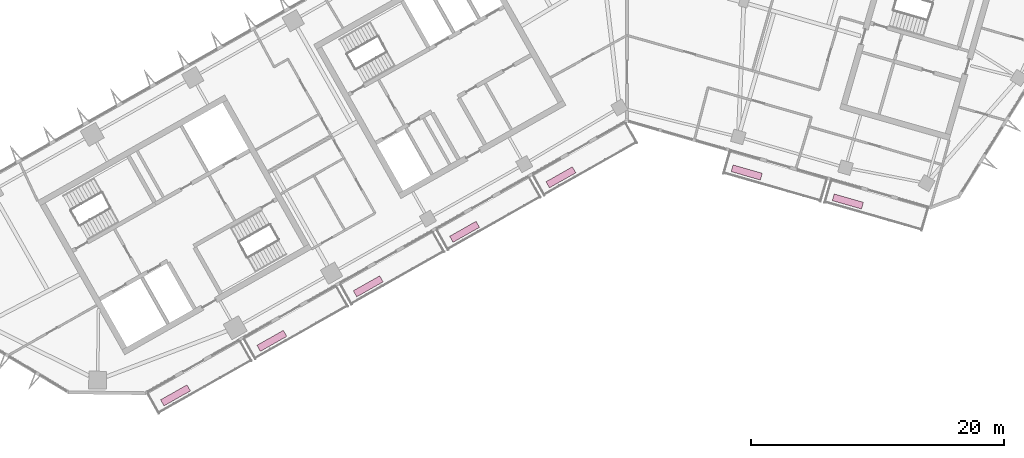
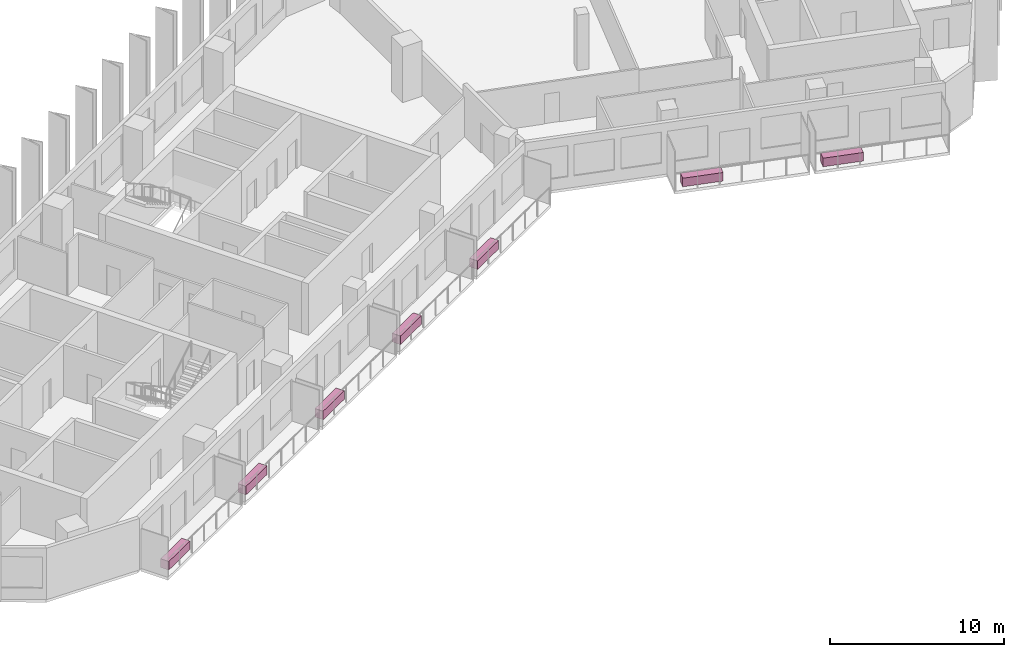
# One storey, part 12 of 12: 7 furnishings.
"""IFC4 building model written with IfcOpenShell, lengths in metres."""

import ifcopenshell
import ifcopenshell.guid

model = None  # the IFC model being written
_history = None  # IfcOwnerHistory: only IFC2X3 demands one
_inside = {}  # id of a spatial element -> (the spatial element, [elements in it])
_under = {}  # id of a project, library or spatial element -> (it, [spatial elements below it])
_declared = {}  # id of a project -> (the project, [libraries it declares])
_typed = {}  # id of a type object -> (the type object, [elements of that type])
_made_of = {}  # id of a material, layer set ... -> (it, [elements and type objects made of it])


def new_model(schema):
    """Start an empty IFC model of exactly this schema.

    Asked for "IFC4X3", IfcOpenShell would pick the latest addendum, in which some entities
    have other attributes; the version numbers below select the first issue.
    IFC2X3 requires an IfcOwnerHistory on every rooted entity: one is made here for all.
    """
    global model, _history
    if schema == "IFC4X3":
        model = ifcopenshell.file(schema_version=(4, 3, 0, 0))
    else:
        model = ifcopenshell.file(schema=schema)
    _inside.clear()
    _under.clear()
    _declared.clear()
    _typed.clear()
    _made_of.clear()
    _history = None
    if model.schema == "IFC2X3":
        org = make("IfcOrganization", Name="unknown")
        user = make(
            "IfcPersonAndOrganization",
            ThePerson=make("IfcPerson", FamilyName="unknown"),
            TheOrganization=org,
        )
        app = make(
            "IfcApplication",
            ApplicationDeveloper=org,
            Version="unknown",
            ApplicationFullName="unknown",
            ApplicationIdentifier="unknown",
        )
        _history = make(
            "IfcOwnerHistory",
            OwningUser=user,
            OwningApplication=app,
            ChangeAction="ADDED",
            CreationDate=0,
        )
    return model


def make(cls, **values):
    """One entity of the class cls with the attributes given. An attribute that is None is left unset."""
    return model.create_entity(
        cls, **{name: value for name, value in values.items() if value is not None}
    )


def rooted(cls, **values):
    """An entity with a GlobalId (a new one), such as an element, a storey or a relation."""
    return make(cls, GlobalId=ifcopenshell.guid.new(), OwnerHistory=_history, **values)


def si_unit(unit_type, name, prefix=None):
    """IfcSIUnit, for example si_unit("LENGTHUNIT", "METRE", prefix="MILLI")."""
    return make("IfcSIUnit", UnitType=unit_type, Prefix=prefix, Name=name)


def assignment(units):
    """IfcUnitAssignment: the units of a project."""
    return None if units is None else make("IfcUnitAssignment", Units=units)


def point(xyz):
    """IfcCartesianPoint."""
    return None if xyz is None else make("IfcCartesianPoint", Coordinates=xyz)


def direction(xyz):
    """IfcDirection."""
    return None if xyz is None else make("IfcDirection", DirectionRatios=xyz)


def frame(location, z_axis=None, x_axis=None):
    """IfcAxis2Placement3D, a coordinate frame: its origin and axes. An axis left out is left unset."""
    return make(
        "IfcAxis2Placement3D",
        Location=point(location),
        Axis=direction(z_axis),
        RefDirection=direction(x_axis),
    )


def frame_2d(location, x_axis=None):
    """IfcAxis2Placement2D, a coordinate frame in the plane: its origin and x axis."""
    return make(
        "IfcAxis2Placement2D", Location=point(location), RefDirection=direction(x_axis)
    )


def origin():
    """The frame at (0, 0, 0) with its axes left unset."""
    return frame((0.0, 0.0, 0.0))


def origin_2d():
    """The frame at (0, 0) in the plane with its x axis left unset."""
    return frame_2d((0.0, 0.0))


def place(relative_to, where):
    """IfcLocalPlacement: puts the frame where relative to a parent placement (None: the world)."""
    return make(
        "IfcLocalPlacement", PlacementRelTo=relative_to, RelativePlacement=where
    )


def context(
    kind, dimensions, precision=None, world=None, true_north=None, identifier=None
):
    """IfcGeometricRepresentationContext, for example the 3D "Model" context."""
    return make(
        "IfcGeometricRepresentationContext",
        ContextIdentifier=identifier,
        ContextType=kind,
        CoordinateSpaceDimension=dimensions,
        Precision=precision,
        WorldCoordinateSystem=world,
        TrueNorth=true_north,
    )


def subcontext(parent, identifier, kind, view, scale=None):
    """IfcGeometricRepresentationSubContext, for example "Body" below "Model"."""
    return make(
        "IfcGeometricRepresentationSubContext",
        ContextIdentifier=identifier,
        ContextType=kind,
        ParentContext=parent,
        TargetScale=scale,
        TargetView=view,
    )


def project(units=None, contexts=None):
    """IfcProject with its units and contexts."""
    return rooted(
        "IfcProject",
        Name="project",
        RepresentationContexts=contexts,
        UnitsInContext=assignment(units),
    )


def spatial(cls, under=None, at=None, **own):
    """A site, building, storey or space (cls), placed at a placement, below another one or the project."""
    s = rooted(cls, ObjectPlacement=at, **own)
    if under is not None:
        _under.setdefault(under.id(), (under, []))[1].append(s)
    return s


def profile(cls, at=None, kind="AREA", **sizes):
    """A parametric profile (cls). Its sizes go by their IFC names, for example OverallWidth=200.0."""
    return make(cls, ProfileType=kind, Position=at, **sizes)


def rectangle(**sizes):
    """IfcRectangleProfileDef."""
    return profile("IfcRectangleProfileDef", **sizes)


def extrude(swept, where, along, depth):
    """IfcExtrudedAreaSolid: the profile swept, set in the frame where, extruded along a direction by depth."""
    return make(
        "IfcExtrudedAreaSolid",
        SweptArea=swept,
        Position=where,
        ExtrudedDirection=direction(along),
        Depth=depth,
    )


def shape(context_of_items, identifier, shape_type, items):
    """IfcShapeRepresentation: the items that make up one representation, for example the "Body"."""
    return make(
        "IfcShapeRepresentation",
        ContextOfItems=context_of_items,
        RepresentationIdentifier=identifier,
        RepresentationType=shape_type,
        Items=items,
    )


def material(Name=None, Category=None):
    """IfcMaterial."""
    return make("IfcMaterial", Name=Name, Category=Category)


def made_of(thing, what):
    """Note that an element or type object is made of a material, layer set ...; save() writes the relation."""
    if what is not None:
        _made_of.setdefault(what.id(), (what, []))[1].append(thing)
    return thing


def type_object(cls, material=None, **own):
    """A type object (cls), such as IfcWallType, which elements share."""
    return made_of(rooted(cls, **own), material)


def element(
    cls,
    number,
    at=None,
    inside=None,
    cuts=None,
    type_object=None,
    material=None,
    context=None,
    identifier="Body",
    shape_type=None,
    held_by="IfcProductDefinitionShape",
    body=None,
    shapes=None,
    **own,
):
    """One element of the class cls, such as IfcWall. Its Tag is "e" and its number.

    at: its placement. inside: the storey or other place that contains it. cuts: it is an
    opening in that element (IfcRelVoidsElement). A single representation is given by context,
    identifier, shape_type and body (its items); several are given by shapes. held_by: the class
    of the entity that holds the representations. save() writes the other relations.
    """
    e = rooted(cls, Tag="e%d" % number, ObjectPlacement=at, **own)
    if body is not None:
        shapes = [shape(context, identifier, shape_type, body)]
    if shapes is not None:
        e.Representation = make(held_by, Representations=shapes)
    if inside is not None:
        _inside.setdefault(inside.id(), (inside, []))[1].append(e)
    if cuts is not None:
        rooted(
            "IfcRelVoidsElement", RelatingBuildingElement=cuts, RelatedOpeningElement=e
        )
    if type_object is not None:
        _typed.setdefault(type_object.id(), (type_object, []))[1].append(e)
    return made_of(e, material)


def aggregate(whole, parts):
    """IfcRelAggregates: a whole, such as a stair, and the parts it consists of."""
    return rooted("IfcRelAggregates", RelatingObject=whole, RelatedObjects=parts)


def save(model, path):
    """Write the relations noted so far, then the file.

    IfcRelAggregates (storeys below a building ...), IfcRelContainedInSpatialStructure (elements
    in a storey), IfcRelDefinesByType, IfcRelAssociatesMaterial and IfcRelDeclares: one each for
    every whole, place, type object, material and project.
    """
    for whole, parts in _under.values():
        aggregate(whole, parts)
    for where, things in _inside.values():
        rooted(
            "IfcRelContainedInSpatialStructure",
            RelatedElements=things,
            RelatingStructure=where,
        )
    for kind, things in _typed.values():
        rooted("IfcRelDefinesByType", RelatedObjects=things, RelatingType=kind)
    for what, things in _made_of.values():
        rooted("IfcRelAssociatesMaterial", RelatedObjects=things, RelatingMaterial=what)
    for by, libraries in _declared.values():
        rooted("IfcRelDeclares", RelatingContext=by, RelatedDefinitions=libraries)
    model.write(path)


model = new_model("IFC4")

# Units and contexts
model_context = context("Model", 3, precision=1e-05, world=origin(), true_north=direction((0.0, 1.0)))
body_context = subcontext(model_context, "Body", "Model", "MODEL_VIEW")
ifc_project = project(units=[si_unit("LENGTHUNIT", "METRE"), si_unit("AREAUNIT", "SQUARE_METRE"), si_unit("VOLUMEUNIT", "CUBIC_METRE"), si_unit("PLANEANGLEUNIT", "RADIAN"), si_unit("MASSUNIT", "GRAM", prefix="KILO")], contexts=[model_context])

# Site, building, storey
site_placement = place(None, origin())
site = spatial("IfcSite", under=ifc_project, at=site_placement, CompositionType="ELEMENT")
building_placement = place(site_placement, origin())
building = spatial("IfcBuilding", under=site, at=building_placement, Name="Binnacle Exchange Tower", CompositionType="ELEMENT")
storey_placement = place(building_placement, frame((0.0, 0.0, 215.300048828125)))
storey = spatial("IfcBuildingStorey", under=building, at=storey_placement, Name="L47", CompositionType="ELEMENT", Elevation=215.300048828125)

# Furnishings
ifc_material = material(Name="Concrete C35/45", Category="concrete")
furnishing_element_type = type_object("IfcFurnishingElementType", Name="PLANTER 2400x550x600", material=ifc_material)
for number, where, z_axis, x_axis, name in (
    (1, (-35.698486328125, 26.2861328125, 0.0), (0.0, 0.0, 1.0), (0.87035569594, 0.492423560103, 0.0), "Planter G01-B00a L47"),
    (2, (-28.078857421875, 30.59716796875, 0.0), (0.0, 0.0, 1.0), (0.87035569594, 0.492423560103, 0.0), "Planter G01-B01a L47"),
    (3, (-20.459228515625, 34.908203125, 0.0), (0.0, 0.0, 1.0), (0.87035569594, 0.492423560103, 0.0), "Planter G01-B02a L47"),
    (4, (-12.839599609375, 39.218994140625, 0.0), (0.0, 0.0, 1.0), (0.87035569594, 0.492423560103, 0.0), "Planter G01-B03a L47"),
    (5, (-5.22021484375, 43.530029296875, 0.0), (0.0, 0.0, 1.0), (0.87035569594, 0.492423560103, 0.0), "Planter G01-B04a L47"),
    (6, (9.474609375, 43.909912109375, 0.0), (0.0, 0.0, 1.0), (0.961261695938, -0.275637355817, 0.0), "Planter G02-B01a L47"),
    (7, (17.47265625, 41.61669921875, 0.0), (0.0, 0.0, 1.0), (0.961261695938, -0.275637355817, 0.0), "Planter G02-B02a L47"),
):
    element("IfcFurnishingElement", number, at=place(storey_placement, frame(where, z_axis=z_axis, x_axis=x_axis)), inside=storey, type_object=furnishing_element_type, Name=name, ObjectType="PLANTER", context=body_context, shape_type="SweptSolid", body=[
        extrude(rectangle(XDim=2.39990234375, YDim=0.550048828125, at=origin_2d()), origin(), (0.0, 0.0, 1.0), 0.60009765625),
    ])

save(model, "model.ifc")
